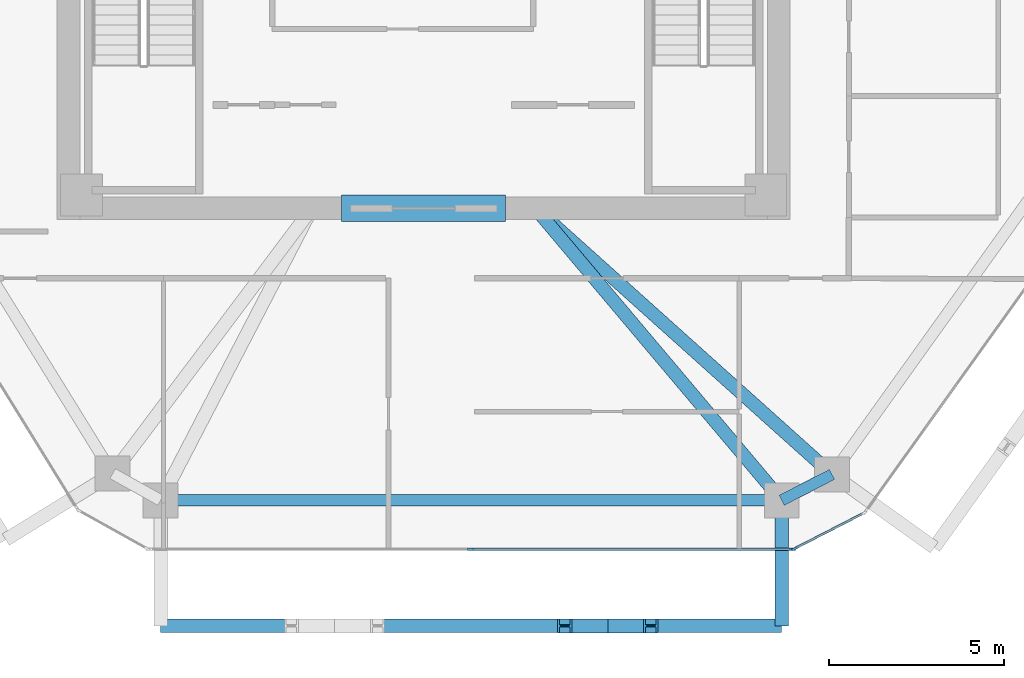
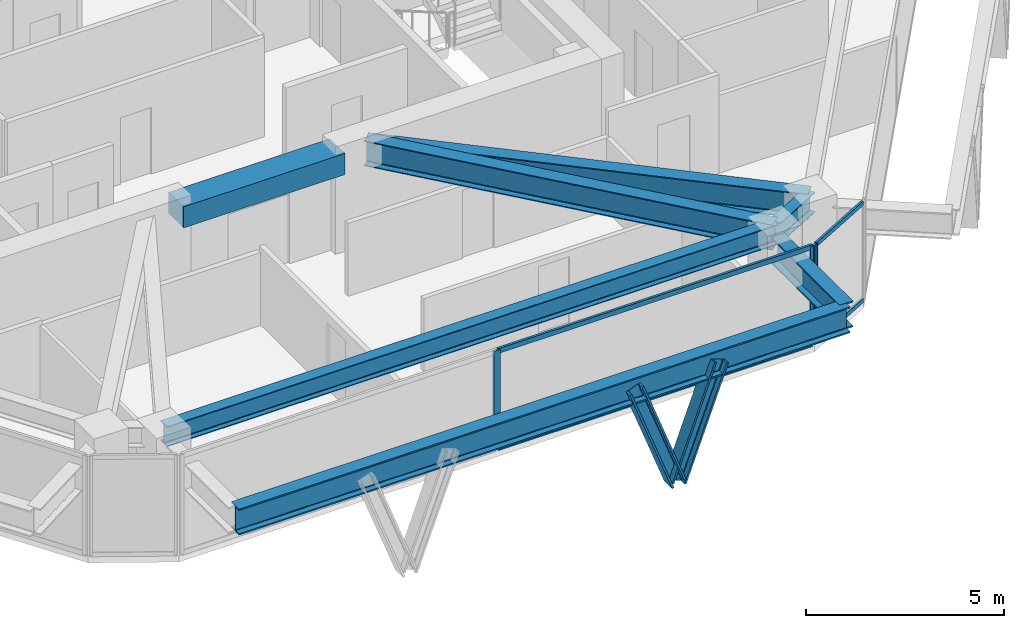
# One storey, part 3 of 11: 9 members, 7 beams, 2 elements without a shape of their own.
"""IFC4 building model written with IfcOpenShell, lengths in metres."""

from ifc_helpers import new_model, si_unit, direction, frame, origin, origin_2d, place, context, subcontext, project, spatial, rectangle, i_section, extrude, source, transform, mapped, material, layer, layer_set, material_profile, profile_set, type_object, type_shapes, element, aggregate, save


model = new_model("IFC4")

# Units and contexts
model_context = context("Model", 3, precision=1e-05, world=origin(), true_north=direction((0.0, 1.0)))
body_context = subcontext(model_context, "Body", "Model", "MODEL_VIEW")
ifc_project = project(units=[si_unit("LENGTHUNIT", "METRE"), si_unit("AREAUNIT", "SQUARE_METRE"), si_unit("VOLUMEUNIT", "CUBIC_METRE"), si_unit("PLANEANGLEUNIT", "RADIAN"), si_unit("MASSUNIT", "GRAM", prefix="KILO")], contexts=[model_context])

# Site, building, storey
site_placement = place(None, origin())
site = spatial("IfcSite", under=ifc_project, at=site_placement, CompositionType="ELEMENT")
building_placement = place(site_placement, origin())
building = spatial("IfcBuilding", under=site, at=building_placement, Name="Durnholm Broadcast Tower", CompositionType="ELEMENT")
storey_placement = place(building_placement, frame((0.0, 0.0, 190.300048828125)))
storey = spatial("IfcBuildingStorey", under=building, at=storey_placement, Name="L52", CompositionType="ELEMENT", Elevation=190.300048828125)

# Beams
ifc_material_1 = material(Name="Concrete C70/85", Category="concrete")
ifc_material_profile_1 = material_profile(ifc_material_1, rectangle(XDim=0.75, YDim=0.64990234375, at=origin_2d()), Name="RC750X650")
ifc_profile_set_1 = profile_set([ifc_material_profile_1], Name="Concrete C70/85")
beam_type_1 = type_object("IfcBeamType", Name="BM-CB-RC650", PredefinedType="LINTEL", material=ifc_profile_set_1)
shared_shape_1 = source(origin(), body_context, "Body", "SweptSolid", [
    extrude(rectangle(XDim=0.75, YDim=0.64990234375, at=origin_2d()), origin(), (0.0, 0.0, 1.0), 4.7001953125),
])
type_shapes(beam_type_1, [shared_shape_1])
beam_1_placement = place(storey_placement, frame((-2.35009765625, -8.175048828125, 2.72998046875), z_axis=(1.0, 0.0, 0.0), x_axis=(0.0, 1.0, 0.0)))
element("IfcBeam", 1, at=beam_1_placement, inside=storey, type_object=beam_type_1, Name="L52 south core coupling lintel beam CB-S", PredefinedType="LINTEL", context=body_context, shape_type="MappedRepresentation", body=[
    mapped(shared_shape_1, transform((0.0, 0.0, 0.0), x_axis=(1.0, 0.0, 0.0), y_axis=(0.0, 1.0, 0.0), z_axis=(0.0, 0.0, 1.0), scale=1.0)),
])
ifc_material_2 = material(Name="Steel ASTM A992 Grade 50", Category="steel")
ifc_material_profile_2 = material_profile(ifc_material_2, i_section(OverallWidth=0.385009765625, OverallDepth=0.802978515625, WebThickness=0.023681640625, FlangeThickness=0.0419921875, FilletRadius=0.032958984375, at=origin_2d()), Name="W30X261")
ifc_profile_set_2 = profile_set([ifc_material_profile_2], Name="Steel ASTM A992 Grade 50")
beam_type_2 = type_object("IfcBeamType", Name="BM-EXO-TIE", PredefinedType="USERDEFINED", material=ifc_profile_set_2)
shared_shape_2 = source(origin(), body_context, "Body", "SweptSolid", [
    extrude(i_section(OverallWidth=0.385009765625, OverallDepth=0.802978515625, WebThickness=0.023681640625, FlangeThickness=0.0419921875, FilletRadius=0.032958984375, at=origin_2d()), origin(), (0.0, 0.0, 1.0), 3.4560546875),
])
beam_2_placement = place(storey_placement, frame((10.256591796875, -16.68603515625, 2.30859375), z_axis=(0.0, -1.0, 0.0), x_axis=(1.0, 0.0, 0.0)))
element("IfcBeam", 2, at=beam_2_placement, inside=storey, type_object=beam_type_2, Name="L52 exoskeleton stand-off tie bracket F1.2", ObjectType="GIRDER", PredefinedType="USERDEFINED", context=body_context, shape_type="MappedRepresentation", body=[
    mapped(shared_shape_2, transform((0.0, 0.0, 0.0), x_axis=(1.0, 0.0, 0.0), y_axis=(0.0, 1.0, 0.0), z_axis=(0.0, 0.0, 1.0), scale=1.0)),
])
ifc_material_profile_3 = material_profile(ifc_material_2, i_section(OverallWidth=0.3251953125, OverallDepth=0.6162109375, WebThickness=0.013916015625, FlangeThickness=0.021484375, FilletRadius=0.02783203125, at=origin_2d()), Name="W24X117")
ifc_profile_set_3 = profile_set([ifc_material_profile_3], Name="Steel ASTM A992 Grade 50")
beam_type_3 = type_object("IfcBeamType", Name="STL-SP-W24X117", PredefinedType="SPANDREL", material=ifc_profile_set_3)
shared_shape_3 = source(origin(), body_context, "Body", "SweptSolid", [
    extrude(i_section(OverallWidth=0.3251953125, OverallDepth=0.6162109375, WebThickness=0.013916015625, FlangeThickness=0.021484375, FilletRadius=0.02783203125, at=origin_2d()), origin(), (0.0, 0.0, 1.0), 1.62255859375),
])
beam_3_placement = place(storey_placement, frame((11.69970703125, -15.80029296875, 2.73681640625), z_axis=(-0.889406668864, -0.45711680934, 0.0), x_axis=(0.45711680934, -0.889406668864, 0.0)))
element("IfcBeam", 3, at=beam_3_placement, inside=storey, type_object=beam_type_3, Name="L52 perimeter spandrel girder 10", PredefinedType="SPANDREL", context=body_context, shape_type="MappedRepresentation", body=[
    mapped(shared_shape_3, transform((0.0, 0.0, 0.0), x_axis=(1.0, 0.0, 0.0), y_axis=(0.0, 1.0, 0.0), z_axis=(0.0, 0.0, 1.0), scale=1.0)),
])
shared_shape_4 = source(origin(), body_context, "Body", "SweptSolid", [
    extrude(i_section(OverallWidth=0.3251953125, OverallDepth=0.6162109375, WebThickness=0.013916015625, FlangeThickness=0.021484375, FilletRadius=0.02783203125, at=origin_2d()), origin(), (0.0, 0.0, 1.0), 17.796142578125),
])
type_shapes(beam_type_3, [shared_shape_3, shared_shape_4])
beam_4_placement = place(storey_placement, frame((10.256591796875, -16.5419921875, 2.73681640625), z_axis=(-1.0, 0.0, 0.0), x_axis=(0.0, -1.0, 0.0)))
element("IfcBeam", 4, at=beam_4_placement, inside=storey, type_object=beam_type_3, Name="L52 perimeter spandrel girder 11", PredefinedType="SPANDREL", context=body_context, shape_type="MappedRepresentation", body=[
    mapped(shared_shape_4, transform((0.0, 0.0, 0.0), x_axis=(1.0, 0.0, 0.0), y_axis=(0.0, 1.0, 0.0), z_axis=(0.0, 0.0, 1.0), scale=1.0)),
])
shared_shape_5 = source(origin(), body_context, "Body", "SweptSolid", [
    extrude(i_section(OverallWidth=0.385009765625, OverallDepth=0.802978515625, WebThickness=0.023681640625, FlangeThickness=0.0419921875, FilletRadius=0.032958984375, at=origin_2d()), origin(), (0.0, 0.0, 1.0), 17.796142578125),
])
type_shapes(beam_type_2, [shared_shape_2, shared_shape_5])
beam_5_placement = place(storey_placement, frame((-7.53955078125, -20.14208984375, 2.30859375), z_axis=(1.0, 0.0, 0.0), x_axis=(0.0, 1.0, 0.0)))
element("IfcBeam", 5, at=beam_5_placement, inside=storey, type_object=beam_type_2, Name="L52 exoskeleton collector spandrel F1", PredefinedType="SPANDREL", context=body_context, shape_type="MappedRepresentation", body=[
    mapped(shared_shape_5, transform((0.0, 0.0, 0.0), x_axis=(1.0, 0.0, 0.0), y_axis=(0.0, 1.0, 0.0), z_axis=(0.0, 0.0, 1.0), scale=1.0)),
])
ifc_material_profile_4 = material_profile(ifc_material_2, i_section(OverallWidth=0.380615234375, OverallDepth=0.773193359375, WebThickness=0.0166015625, FlangeThickness=0.027099609375, FilletRadius=0.032958984375, at=origin_2d()), Name="W30X173")
ifc_profile_set_4 = profile_set([ifc_material_profile_4], Name="Steel ASTM A992 Grade 50")
beam_type_4 = type_object("IfcBeamType", Name="STL-GR-W30X173", PredefinedType="USERDEFINED", material=ifc_profile_set_4)
shared_shape_6 = source(origin(), body_context, "Body", "SweptSolid", [
    extrude(i_section(OverallWidth=0.380615234375, OverallDepth=0.773193359375, WebThickness=0.0166015625, FlangeThickness=0.027099609375, FilletRadius=0.032958984375, at=origin_2d()), origin(), (0.0, 0.0, 1.0), 11.4189453125),
])
beam_6_placement = place(storey_placement, frame((3.199951171875, -8.175048828125, 2.658447265625), z_axis=(0.744361631918, -0.667776729849, 0.0), x_axis=(0.667776729849, 0.744361631918, 0.0)))
element("IfcBeam", 6, at=beam_6_placement, inside=storey, type_object=beam_type_4, Name="L52 radial primary floor girder 10", ObjectType="GIRDER", PredefinedType="USERDEFINED", context=body_context, shape_type="MappedRepresentation", body=[
    mapped(shared_shape_6, transform((0.0, 0.0, 0.0), x_axis=(1.0, 0.0, 0.0), y_axis=(0.0, 1.0, 0.0), z_axis=(0.0, 0.0, 1.0), scale=1.0)),
])
shared_shape_7 = source(origin(), body_context, "Body", "SweptSolid", [
    extrude(i_section(OverallWidth=0.380615234375, OverallDepth=0.773193359375, WebThickness=0.0166015625, FlangeThickness=0.027099609375, FilletRadius=0.032958984375, at=origin_2d()), origin(), (0.0, 0.0, 1.0), 10.9453125),
])
type_shapes(beam_type_4, [shared_shape_6, shared_shape_7])
beam_7_placement = place(storey_placement, frame((3.199951171875, -8.175048828125, 2.658447265625), z_axis=(0.644712536066, -0.764425108065, 0.0), x_axis=(0.764425108065, 0.644712536066, 0.0)))
element("IfcBeam", 7, at=beam_7_placement, inside=storey, type_object=beam_type_4, Name="L52 radial primary floor girder 11", ObjectType="GIRDER", PredefinedType="USERDEFINED", context=body_context, shape_type="MappedRepresentation", body=[
    mapped(shared_shape_7, transform((0.0, 0.0, 0.0), x_axis=(1.0, 0.0, 0.0), y_axis=(0.0, 1.0, 0.0), z_axis=(0.0, 0.0, 1.0), scale=1.0)),
])

# Members
ifc_material_3 = material(Name="Steel ASTM A913 Grade 65", Category="steel")
ifc_material_profile_5 = material_profile(ifc_material_3, i_section(OverallWidth=0.412109375, OverallDepth=0.434814453125, WebThickness=0.035888671875, FlangeThickness=0.057373046875, FilletRadius=0.030517578125, at=origin_2d()), Name="W14X311")
ifc_profile_set_5 = profile_set([ifc_material_profile_5], Name="Steel ASTM A913 Grade 65")
member_type_1 = type_object("IfcMemberType", Name="STL-DG-W14X311", PredefinedType="BRACE", material=ifc_profile_set_5)
shared_shape_8 = source(origin(), body_context, "Body", "SweptSolid", [
    extrude(i_section(OverallWidth=0.412109375, OverallDepth=0.434814453125, WebThickness=0.035888671875, FlangeThickness=0.057373046875, FilletRadius=0.030517578125, at=origin_2d()), origin(), (0.0, 0.0, 1.0), 3.523193359375),
])
type_shapes(member_type_1, [shared_shape_8])
for number, where, z_axis, x_axis, name in (
    (8, (5.273681640625, -20.14208984375, -0.991455078125), (-0.350219588454, 0.0, 0.936667625075), (0.0, -1.0, 0.0), "L52 stand-off diagrid brace F1.D2.1"),
    (9, (5.273681640625, -20.14208984375, -0.991455078125), (0.350219588454, 0.0, 0.936667625075), (0.0, 1.0, 0.0), "L52 stand-off diagrid brace F1.D2.2"),
):
    element("IfcMember", number, at=place(storey_placement, frame(where, z_axis=z_axis, x_axis=x_axis)), inside=storey, type_object=member_type_1, Name=name, PredefinedType="BRACE", context=body_context, shape_type="MappedRepresentation", body=[
        mapped(shared_shape_8, transform((0.0, 0.0, 0.0), x_axis=(1.0, 0.0, 0.0), y_axis=(0.0, 1.0, 0.0), z_axis=(0.0, 0.0, 1.0), scale=1.0)),
    ])

# Curtain wall, members
ifc_material_4 = material(Name="Aluminium and Solar Control IGU", Category="aluminium")
ifc_layer_1 = layer(ifc_material_4, 0.1650390625)
ifc_layer_set_1 = layer_set([ifc_layer_1], Name="Aluminium and Solar Control IGU")
curtain_wall_type_1 = type_object("IfcCurtainWallType", Name="CW-SYS-5", PredefinedType="NOTDEFINED", material=ifc_layer_set_1)
curtain_wall_1_placement = place(storey_placement, origin())
curtain_wall_1 = element("IfcCurtainWall", 10, at=curtain_wall_1_placement, inside=storey, type_object=curtain_wall_type_1, Name="L52 curtain wall CW-CORNER CW-L52-CRN-09", PredefinedType="NOTDEFINED")
ifc_material_5 = material(Name="Aluminium 6063-T6", Category="aluminium")
ifc_material_profile_6 = material_profile(ifc_material_5, rectangle(XDim=0.06494140625, YDim=0.1650390625, at=origin_2d()), Name="CWM65X165")
ifc_profile_set_6 = profile_set([ifc_material_profile_6], Name="Aluminium 6063-T6")
member_type_2 = type_object("IfcMemberType", Name="CW-SYS-5-MUL", PredefinedType="MULLION", material=ifc_profile_set_6)
shared_shape_9 = source(origin(), body_context, "Body", "SweptSolid", [
    extrude(rectangle(XDim=0.06494140625, YDim=0.1650390625, at=origin_2d()), origin(), (0.0, 0.0, 1.0), 3.06005859375),
])
type_shapes(member_type_2, [shared_shape_9])
member_1_placement = place(storey_placement, frame((10.624267578125, -17.92724609375, 0.0), z_axis=(0.0, 0.0, 1.0), x_axis=(0.457081764476, -0.889424679545, 0.0)))
member_1 = element("IfcMember", 11, at=member_1_placement, type_object=member_type_2, Name="CW-CORNER mullion 2", PredefinedType="MULLION", context=body_context, shape_type="MappedRepresentation", body=[
    mapped(shared_shape_9, transform((0.0, 0.0, 0.0), x_axis=(1.0, 0.0, 0.0), y_axis=(0.0, 1.0, 0.0), z_axis=(0.0, 0.0, 1.0), scale=1.0)),
])
ifc_material_profile_7 = material_profile(ifc_material_5, rectangle(XDim=0.06494140625, YDim=0.1298828125, at=origin_2d()), Name="CWT65X130")
ifc_profile_set_7 = profile_set([ifc_material_profile_7], Name="Aluminium 6063-T6")
member_type_3 = type_object("IfcMemberType", Name="CW-SYS-5-TRN", PredefinedType="USERDEFINED", material=ifc_profile_set_7)
shared_shape_10 = source(origin(), body_context, "Body", "SweptSolid", [
    extrude(rectangle(XDim=0.06494140625, YDim=0.1298828125, at=origin_2d()), origin(), (0.0, 0.0, 1.0), 2.170166015625),
])
type_shapes(member_type_3, [shared_shape_10])
member_2_placement = place(storey_placement, frame((12.583251953125, -16.92041015625, 0.032470703125), z_axis=(-0.889422414772, -0.457086171417, 0.0), x_axis=(0.457086171417, -0.889422414772, 0.0)))
member_2 = element("IfcMember", 12, at=member_2_placement, type_object=member_type_3, Name="CW-CORNER transom 1.1", ObjectType="TRANSOM", PredefinedType="USERDEFINED", context=body_context, shape_type="MappedRepresentation", body=[
    mapped(shared_shape_10, transform((0.0, 0.0, 0.0), x_axis=(1.0, 0.0, 0.0), y_axis=(0.0, 1.0, 0.0), z_axis=(0.0, 0.0, 1.0), scale=1.0)),
])
member_3_placement = place(storey_placement, frame((12.583251953125, -16.92041015625, 3.02734375), z_axis=(-0.889422414772, -0.457086171417, 0.0), x_axis=(0.457086171417, -0.889422414772, 0.0)))
member_3 = element("IfcMember", 13, at=member_3_placement, type_object=member_type_3, Name="CW-CORNER transom 1.2", ObjectType="TRANSOM", PredefinedType="USERDEFINED", context=body_context, shape_type="MappedRepresentation", body=[
    mapped(shared_shape_10, transform((0.0, 0.0, 0.0), x_axis=(1.0, 0.0, 0.0), y_axis=(0.0, 1.0, 0.0), z_axis=(0.0, 0.0, 1.0), scale=1.0)),
])
aggregate(curtain_wall_1, [member_1, member_2, member_3])

ifc_layer_2 = layer(ifc_material_4, 0.18994140625)
ifc_layer_set_2 = layer_set([ifc_layer_2], Name="Aluminium and Solar Control IGU")
curtain_wall_type_2 = type_object("IfcCurtainWallType", Name="CW-SYS-4", PredefinedType="NOTDEFINED", material=ifc_layer_set_2)
curtain_wall_2_placement = place(storey_placement, origin())
curtain_wall_2 = element("IfcCurtainWall", 14, at=curtain_wall_2_placement, inside=storey, type_object=curtain_wall_type_2, Name="L52 curtain wall CW-Z34-VIS CW-L52-F10", PredefinedType="NOTDEFINED")
ifc_material_profile_8 = material_profile(ifc_material_5, rectangle(XDim=0.070068359375, YDim=0.14990234375, at=origin_2d()), Name="CWT70X150")
ifc_profile_set_8 = profile_set([ifc_material_profile_8], Name="Aluminium 6063-T6")
member_type_4 = type_object("IfcMemberType", Name="CW-SYS-4-TRN", PredefinedType="USERDEFINED", material=ifc_profile_set_8)
shared_shape_11 = source(origin(), body_context, "Body", "SweptSolid", [
    extrude(rectangle(XDim=0.070068359375, YDim=0.14990234375, at=origin_2d()), origin(), (0.0, 0.0, 1.0), 9.14453125),
])
type_shapes(member_type_4, [shared_shape_11])
member_4_placement = place(storey_placement, frame((10.525390625, -17.94189453125, 0.034912109375), z_axis=(-1.0, 0.0, 0.0), x_axis=(0.0, -1.0, 0.0)))
member_4 = element("IfcMember", 15, at=member_4_placement, type_object=member_type_4, Name="CW-Z34-VIS transom 1.1", ObjectType="TRANSOM", PredefinedType="USERDEFINED", context=body_context, shape_type="MappedRepresentation", body=[
    mapped(shared_shape_11, transform((0.0, 0.0, 0.0), x_axis=(1.0, 0.0, 0.0), y_axis=(0.0, 1.0, 0.0), z_axis=(0.0, 0.0, 1.0), scale=1.0)),
])
member_5_placement = place(storey_placement, frame((10.525390625, -17.94189453125, 3.02490234375), z_axis=(-1.0, 0.0, 0.0), x_axis=(0.0, -1.0, 0.0)))
member_5 = element("IfcMember", 16, at=member_5_placement, type_object=member_type_4, Name="CW-Z34-VIS transom 1.2", ObjectType="TRANSOM", PredefinedType="USERDEFINED", context=body_context, shape_type="MappedRepresentation", body=[
    mapped(shared_shape_11, transform((0.0, 0.0, 0.0), x_axis=(1.0, 0.0, 0.0), y_axis=(0.0, 1.0, 0.0), z_axis=(0.0, 0.0, 1.0), scale=1.0)),
])
ifc_material_profile_9 = material_profile(ifc_material_5, rectangle(XDim=0.070068359375, YDim=0.18994140625, at=origin_2d()), Name="CWM70X190")
ifc_profile_set_9 = profile_set([ifc_material_profile_9], Name="Aluminium 6063-T6")
member_type_5 = type_object("IfcMemberType", Name="CW-SYS-4-MUL", PredefinedType="MULLION", material=ifc_profile_set_9)
shared_shape_12 = source(origin(), body_context, "Body", "SweptSolid", [
    extrude(rectangle(XDim=0.070068359375, YDim=0.18994140625, at=origin_2d()), origin(), (0.0, 0.0, 1.0), 3.06005859375),
])
type_shapes(member_type_5, [shared_shape_12])
member_6_placement = place(storey_placement, frame((10.560302734375, -17.94189453125, 0.0), z_axis=(0.0, 0.0, 1.0), x_axis=(0.0, -1.0, 0.0)))
member_6 = element("IfcMember", 17, at=member_6_placement, type_object=member_type_5, Name="CW-Z34-VIS mullion 1", PredefinedType="MULLION", context=body_context, shape_type="MappedRepresentation", body=[
    mapped(shared_shape_12, transform((0.0, 0.0, 0.0), x_axis=(1.0, 0.0, 0.0), y_axis=(0.0, 1.0, 0.0), z_axis=(0.0, 0.0, 1.0), scale=1.0)),
])
member_7_placement = place(storey_placement, frame((1.345947265625, -17.94189453125, 0.0), z_axis=(0.0, 0.0, 1.0), x_axis=(0.0, -1.0, 0.0)))
member_7 = element("IfcMember", 18, at=member_7_placement, type_object=member_type_5, Name="CW-Z34-VIS mullion 2", PredefinedType="MULLION", context=body_context, shape_type="MappedRepresentation", body=[
    mapped(shared_shape_12, transform((0.0, 0.0, 0.0), x_axis=(1.0, 0.0, 0.0), y_axis=(0.0, 1.0, 0.0), z_axis=(0.0, 0.0, 1.0), scale=1.0)),
])
aggregate(curtain_wall_2, [member_6, member_7, member_4, member_5])

save(model, "model.ifc")
